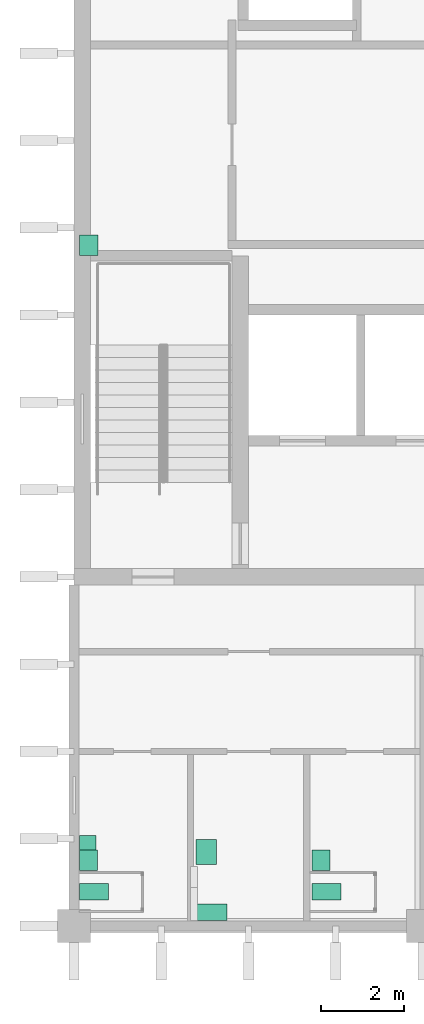
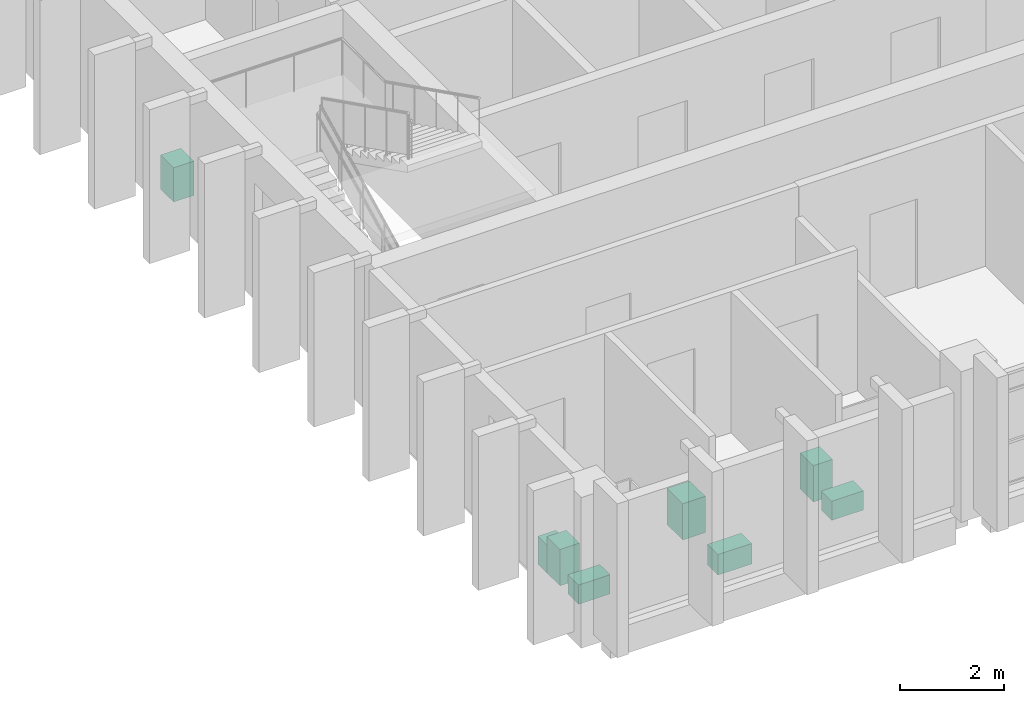
# One storey, part 11 of 11: 8 sanitary terminals.
"""IFC4 building model written with IfcOpenShell, lengths in metres."""

import ifcopenshell
import ifcopenshell.guid

model = None  # the IFC model being written
_history = None  # IfcOwnerHistory: only IFC2X3 demands one
_inside = {}  # id of a spatial element -> (the spatial element, [elements in it])
_under = {}  # id of a project, library or spatial element -> (it, [spatial elements below it])
_declared = {}  # id of a project -> (the project, [libraries it declares])
_typed = {}  # id of a type object -> (the type object, [elements of that type])
_made_of = {}  # id of a material, layer set ... -> (it, [elements and type objects made of it])


def new_model(schema):
    """Start an empty IFC model of exactly this schema.

    Asked for "IFC4X3", IfcOpenShell would pick the latest addendum, in which some entities
    have other attributes; the version numbers below select the first issue.
    IFC2X3 requires an IfcOwnerHistory on every rooted entity: one is made here for all.
    """
    global model, _history
    if schema == "IFC4X3":
        model = ifcopenshell.file(schema_version=(4, 3, 0, 0))
    else:
        model = ifcopenshell.file(schema=schema)
    _inside.clear()
    _under.clear()
    _declared.clear()
    _typed.clear()
    _made_of.clear()
    _history = None
    if model.schema == "IFC2X3":
        org = make("IfcOrganization", Name="unknown")
        user = make(
            "IfcPersonAndOrganization",
            ThePerson=make("IfcPerson", FamilyName="unknown"),
            TheOrganization=org,
        )
        app = make(
            "IfcApplication",
            ApplicationDeveloper=org,
            Version="unknown",
            ApplicationFullName="unknown",
            ApplicationIdentifier="unknown",
        )
        _history = make(
            "IfcOwnerHistory",
            OwningUser=user,
            OwningApplication=app,
            ChangeAction="ADDED",
            CreationDate=0,
        )
    return model


def make(cls, **values):
    """One entity of the class cls with the attributes given. An attribute that is None is left unset."""
    return model.create_entity(
        cls, **{name: value for name, value in values.items() if value is not None}
    )


def rooted(cls, **values):
    """An entity with a GlobalId (a new one), such as an element, a storey or a relation."""
    return make(cls, GlobalId=ifcopenshell.guid.new(), OwnerHistory=_history, **values)


def si_unit(unit_type, name, prefix=None):
    """IfcSIUnit, for example si_unit("LENGTHUNIT", "METRE", prefix="MILLI")."""
    return make("IfcSIUnit", UnitType=unit_type, Prefix=prefix, Name=name)


def assignment(units):
    """IfcUnitAssignment: the units of a project."""
    return None if units is None else make("IfcUnitAssignment", Units=units)


def point(xyz):
    """IfcCartesianPoint."""
    return None if xyz is None else make("IfcCartesianPoint", Coordinates=xyz)


def direction(xyz):
    """IfcDirection."""
    return None if xyz is None else make("IfcDirection", DirectionRatios=xyz)


def frame(location, z_axis=None, x_axis=None):
    """IfcAxis2Placement3D, a coordinate frame: its origin and axes. An axis left out is left unset."""
    return make(
        "IfcAxis2Placement3D",
        Location=point(location),
        Axis=direction(z_axis),
        RefDirection=direction(x_axis),
    )


def frame_2d(location, x_axis=None):
    """IfcAxis2Placement2D, a coordinate frame in the plane: its origin and x axis."""
    return make(
        "IfcAxis2Placement2D", Location=point(location), RefDirection=direction(x_axis)
    )


def origin():
    """The frame at (0, 0, 0) with its axes left unset."""
    return frame((0.0, 0.0, 0.0))


def origin_2d():
    """The frame at (0, 0) in the plane with its x axis left unset."""
    return frame_2d((0.0, 0.0))


def place(relative_to, where):
    """IfcLocalPlacement: puts the frame where relative to a parent placement (None: the world)."""
    return make(
        "IfcLocalPlacement", PlacementRelTo=relative_to, RelativePlacement=where
    )


def context(
    kind, dimensions, precision=None, world=None, true_north=None, identifier=None
):
    """IfcGeometricRepresentationContext, for example the 3D "Model" context."""
    return make(
        "IfcGeometricRepresentationContext",
        ContextIdentifier=identifier,
        ContextType=kind,
        CoordinateSpaceDimension=dimensions,
        Precision=precision,
        WorldCoordinateSystem=world,
        TrueNorth=true_north,
    )


def subcontext(parent, identifier, kind, view, scale=None):
    """IfcGeometricRepresentationSubContext, for example "Body" below "Model"."""
    return make(
        "IfcGeometricRepresentationSubContext",
        ContextIdentifier=identifier,
        ContextType=kind,
        ParentContext=parent,
        TargetScale=scale,
        TargetView=view,
    )


def project(units=None, contexts=None):
    """IfcProject with its units and contexts."""
    return rooted(
        "IfcProject",
        Name="project",
        RepresentationContexts=contexts,
        UnitsInContext=assignment(units),
    )


def spatial(cls, under=None, at=None, **own):
    """A site, building, storey or space (cls), placed at a placement, below another one or the project."""
    s = rooted(cls, ObjectPlacement=at, **own)
    if under is not None:
        _under.setdefault(under.id(), (under, []))[1].append(s)
    return s


def profile(cls, at=None, kind="AREA", **sizes):
    """A parametric profile (cls). Its sizes go by their IFC names, for example OverallWidth=200.0."""
    return make(cls, ProfileType=kind, Position=at, **sizes)


def rectangle(**sizes):
    """IfcRectangleProfileDef."""
    return profile("IfcRectangleProfileDef", **sizes)


def extrude(swept, where, along, depth):
    """IfcExtrudedAreaSolid: the profile swept, set in the frame where, extruded along a direction by depth."""
    return make(
        "IfcExtrudedAreaSolid",
        SweptArea=swept,
        Position=where,
        ExtrudedDirection=direction(along),
        Depth=depth,
    )


def shape(context_of_items, identifier, shape_type, items):
    """IfcShapeRepresentation: the items that make up one representation, for example the "Body"."""
    return make(
        "IfcShapeRepresentation",
        ContextOfItems=context_of_items,
        RepresentationIdentifier=identifier,
        RepresentationType=shape_type,
        Items=items,
    )


def material(Name=None, Category=None):
    """IfcMaterial."""
    return make("IfcMaterial", Name=Name, Category=Category)


def made_of(thing, what):
    """Note that an element or type object is made of a material, layer set ...; save() writes the relation."""
    if what is not None:
        _made_of.setdefault(what.id(), (what, []))[1].append(thing)
    return thing


def type_object(cls, material=None, **own):
    """A type object (cls), such as IfcWallType, which elements share."""
    return made_of(rooted(cls, **own), material)


def element(
    cls,
    number,
    at=None,
    inside=None,
    cuts=None,
    type_object=None,
    material=None,
    context=None,
    identifier="Body",
    shape_type=None,
    held_by="IfcProductDefinitionShape",
    body=None,
    shapes=None,
    **own,
):
    """One element of the class cls, such as IfcWall. Its Tag is "e" and its number.

    at: its placement. inside: the storey or other place that contains it. cuts: it is an
    opening in that element (IfcRelVoidsElement). A single representation is given by context,
    identifier, shape_type and body (its items); several are given by shapes. held_by: the class
    of the entity that holds the representations. save() writes the other relations.
    """
    e = rooted(cls, Tag="e%d" % number, ObjectPlacement=at, **own)
    if body is not None:
        shapes = [shape(context, identifier, shape_type, body)]
    if shapes is not None:
        e.Representation = make(held_by, Representations=shapes)
    if inside is not None:
        _inside.setdefault(inside.id(), (inside, []))[1].append(e)
    if cuts is not None:
        rooted(
            "IfcRelVoidsElement", RelatingBuildingElement=cuts, RelatedOpeningElement=e
        )
    if type_object is not None:
        _typed.setdefault(type_object.id(), (type_object, []))[1].append(e)
    return made_of(e, material)


def aggregate(whole, parts):
    """IfcRelAggregates: a whole, such as a stair, and the parts it consists of."""
    return rooted("IfcRelAggregates", RelatingObject=whole, RelatedObjects=parts)


def save(model, path):
    """Write the relations noted so far, then the file.

    IfcRelAggregates (storeys below a building ...), IfcRelContainedInSpatialStructure (elements
    in a storey), IfcRelDefinesByType, IfcRelAssociatesMaterial and IfcRelDeclares: one each for
    every whole, place, type object, material and project.
    """
    for whole, parts in _under.values():
        aggregate(whole, parts)
    for where, things in _inside.values():
        rooted(
            "IfcRelContainedInSpatialStructure",
            RelatedElements=things,
            RelatingStructure=where,
        )
    for kind, things in _typed.values():
        rooted("IfcRelDefinesByType", RelatedObjects=things, RelatingType=kind)
    for what, things in _made_of.values():
        rooted("IfcRelAssociatesMaterial", RelatedObjects=things, RelatingMaterial=what)
    for by, libraries in _declared.values():
        rooted("IfcRelDeclares", RelatingContext=by, RelatedDefinitions=libraries)
    model.write(path)


model = new_model("IFC4")

# Units and contexts
model_context = context("Model", 3, precision=1e-05, world=origin(), true_north=direction((0.0, 1.0)))
body_context = subcontext(model_context, "Body", "Model", "MODEL_VIEW")
ifc_project = project(units=[si_unit("LENGTHUNIT", "METRE"), si_unit("AREAUNIT", "SQUARE_METRE"), si_unit("VOLUMEUNIT", "CUBIC_METRE"), si_unit("PLANEANGLEUNIT", "RADIAN"), si_unit("MASSUNIT", "GRAM", prefix="KILO")], contexts=[model_context])

# Site, building, storey
site_placement = place(None, origin())
site = spatial("IfcSite", under=ifc_project, at=site_placement, CompositionType="ELEMENT")
building_placement = place(site_placement, origin())
building = spatial("IfcBuilding", under=site, at=building_placement, Name="Rulbaag Community and Learning Centre", CompositionType="ELEMENT")
storey_placement = place(building_placement, frame((0.0, 0.0, 46.800048828125)))
storey = spatial("IfcBuildingStorey", under=building, at=storey_placement, Name="L12", CompositionType="ELEMENT", Elevation=46.800048828125)

# Sanitary terminals
ifc_material_1 = material(Name="Vitreous china", Category="ceramic")
sanitary_terminal_type_1 = type_object("IfcSanitaryTerminalType", Name="BS-500", PredefinedType="WASHHANDBASIN", material=ifc_material_1)
for number, where, z_axis, x_axis, name in (
    (1, (143.14501953125, 85.580078125, 0.0), (0.0, 0.0, 1.0), (1.0, 0.0, 0.0), "Basin 99"),
    (2, (148.7451171875, 85.580078125, 0.0), (0.0, 0.0, 1.0), (1.0, 0.0, 0.0), "Basin 100"),
):
    element("IfcSanitaryTerminal", number, at=place(storey_placement, frame(where, z_axis=z_axis, x_axis=x_axis)), inside=storey, type_object=sanitary_terminal_type_1, Name=name, PredefinedType="WASHHANDBASIN", context=body_context, shape_type="SweptSolid", body=[
        extrude(rectangle(XDim=0.429931640625, YDim=0.5, at=origin_2d()), origin(), (0.0, 0.0, 1.0), 0.85009765625),
    ])
sanitary_terminal_type_2 = type_object("IfcSanitaryTerminalType", Name="BS-AC-600", PredefinedType="WASHHANDBASIN", material=ifc_material_1)
sanitary_terminal_1_placement = place(storey_placement, frame((145.97998046875, 85.780029296875, 0.0), z_axis=(0.0, 0.0, 1.0), x_axis=(1.0, 0.0, 0.0)))
element("IfcSanitaryTerminal", 3, at=sanitary_terminal_1_placement, inside=storey, type_object=sanitary_terminal_type_2, Name="Basin 101", PredefinedType="WASHHANDBASIN", context=body_context, shape_type="SweptSolid", body=[
    extrude(rectangle(XDim=0.5, YDim=0.60009765625, at=origin_2d()), origin(), (0.0, 0.0, 1.0), 0.85009765625),
])
ifc_material_2 = material(Name="Stainless steel", Category="steel")
sanitary_terminal_type_3 = type_object("IfcSanitaryTerminalType", Name="SK-CL-500", PredefinedType="SINK", material=ifc_material_2)
sanitary_terminal_2_placement = place(storey_placement, frame((143.155029296875, 100.3798828125, 0.0), z_axis=(0.0, 0.0, 1.0), x_axis=(1.0, 0.0, 0.0)))
element("IfcSanitaryTerminal", 4, at=sanitary_terminal_2_placement, inside=storey, type_object=sanitary_terminal_type_3, Name="Sink 21", PredefinedType="SINK", context=body_context, shape_type="SweptSolid", body=[
    extrude(rectangle(XDim=0.449951171875, YDim=0.5, at=origin_2d()), origin(), (0.0, 0.0, 1.0), 0.800048828125),
])
sanitary_terminal_type_4 = type_object("IfcSanitaryTerminalType", Name="UR-350", PredefinedType="URINAL", material=ifc_material_1)
sanitary_terminal_3_placement = place(storey_placement, frame((143.1298828125, 86.0048828125, 0.0), z_axis=(0.0, 0.0, 1.0), x_axis=(1.0, 0.0, 0.0)))
element("IfcSanitaryTerminal", 5, at=sanitary_terminal_3_placement, inside=storey, type_object=sanitary_terminal_type_4, Name="Urinal 162", PredefinedType="URINAL", context=body_context, shape_type="SweptSolid", body=[
    extrude(rectangle(XDim=0.39990234375, YDim=0.35009765625, at=origin_2d()), origin(), (0.0, 0.0, 1.0), 0.64990234375),
])
sanitary_terminal_type_5 = type_object("IfcSanitaryTerminalType", Name="WC-400", PredefinedType="TOILETPAN", material=ifc_material_1)
for number, where, z_axis, x_axis, name in (
    (6, (143.280029296875, 84.820068359375, 0.0), (0.0, 0.0, 1.0), (1.0, 0.0, 0.0), "WC 160"),
    (7, (148.8798828125, 84.820068359375, 0.0), (0.0, 0.0, 1.0), (1.0, 0.0, 0.0), "WC 161"),
):
    element("IfcSanitaryTerminal", number, at=place(storey_placement, frame(where, z_axis=z_axis, x_axis=x_axis)), inside=storey, type_object=sanitary_terminal_type_5, Name=name, PredefinedType="TOILETPAN", context=body_context, shape_type="SweptSolid", body=[
        extrude(rectangle(XDim=0.699951171875, YDim=0.39990234375, at=origin_2d()), origin(), (0.0, 0.0, 1.0), 0.449951171875),
    ])
sanitary_terminal_type_6 = type_object("IfcSanitaryTerminalType", Name="WC-AC-480", PredefinedType="TOILETPAN", material=ifc_material_1)
sanitary_terminal_4_placement = place(storey_placement, frame((146.10498046875, 84.330078125, 0.0), z_axis=(0.0, 0.0, 1.0), x_axis=(1.0, 0.0, 0.0)))
element("IfcSanitaryTerminal", 8, at=sanitary_terminal_4_placement, inside=storey, type_object=sanitary_terminal_type_6, Name="WC 162", PredefinedType="TOILETPAN", context=body_context, shape_type="SweptSolid", body=[
    extrude(rectangle(XDim=0.75, YDim=0.39990234375, at=origin_2d()), origin(), (0.0, 0.0, 1.0), 0.47998046875),
])

save(model, "model.ifc")
